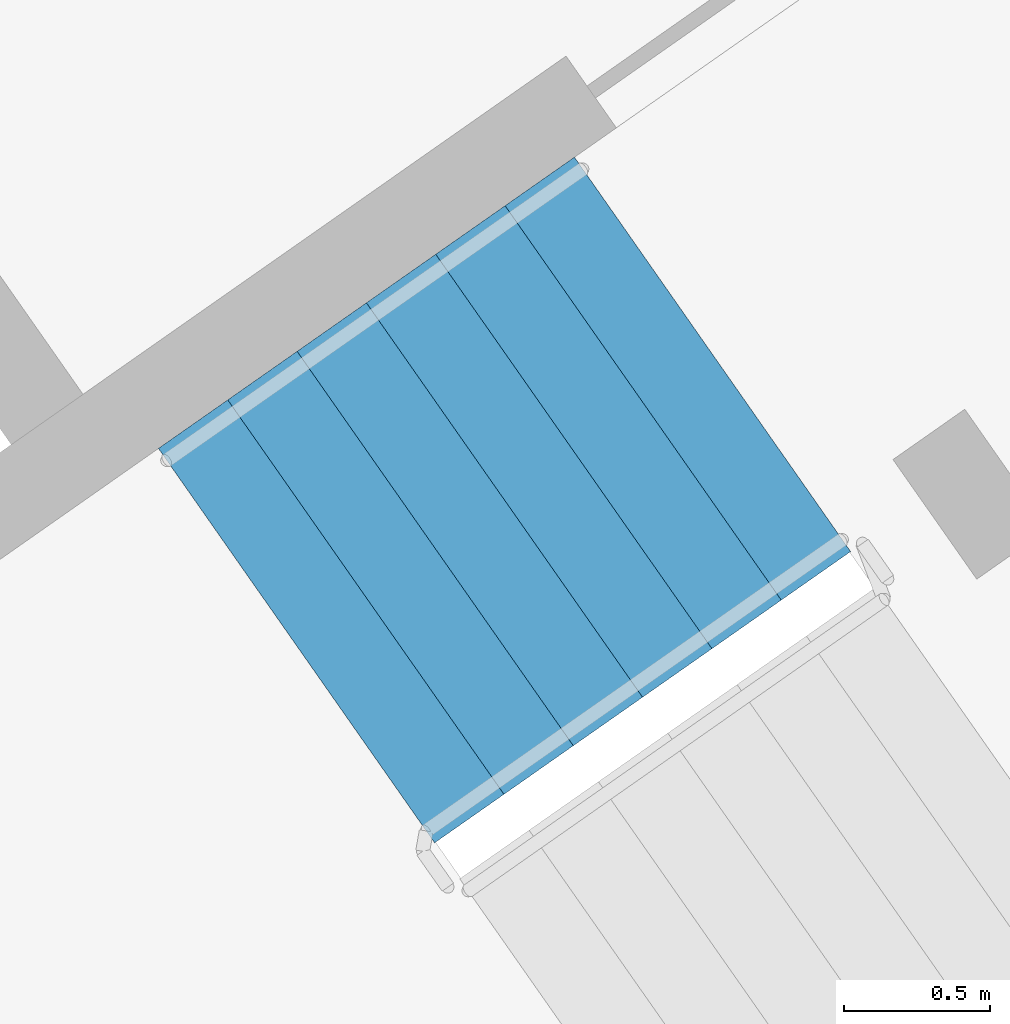
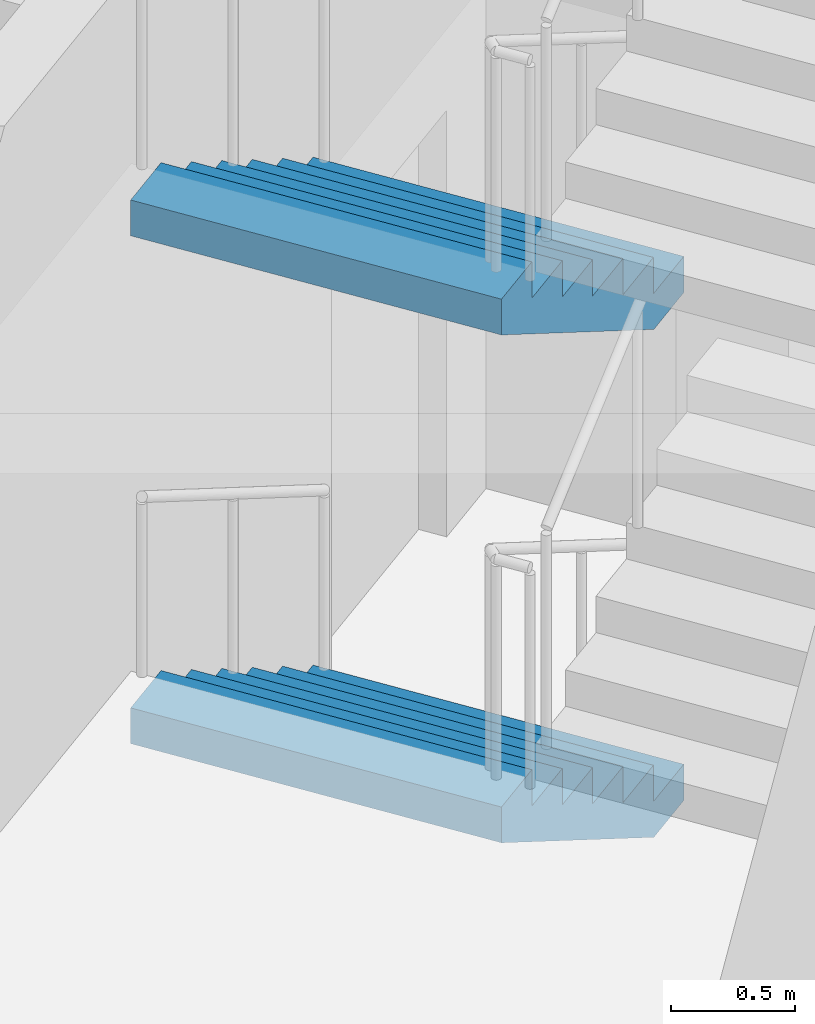
# One storey, part 19 of 25: 2 stair flights, 1 element without a shape of its own.
"""IFC4 building model written with IfcOpenShell, lengths in metres."""

from ifc_helpers import new_model, si_unit, direction, frame, origin, place, context, subcontext, project, spatial, faceted_brep, material, type_object, element, aggregate, save


model = new_model("IFC4")

# Units and contexts
model_context = context("Model", 3, precision=1e-05, world=origin(), true_north=direction((0.0, 1.0)))
body_context = subcontext(model_context, "Body", "Model", "MODEL_VIEW")
ifc_project = project(units=[si_unit("LENGTHUNIT", "METRE"), si_unit("AREAUNIT", "SQUARE_METRE"), si_unit("VOLUMEUNIT", "CUBIC_METRE"), si_unit("PLANEANGLEUNIT", "RADIAN"), si_unit("MASSUNIT", "GRAM", prefix="KILO")], contexts=[model_context])

# Site, building, storey
site_placement = place(None, origin())
site = spatial("IfcSite", under=ifc_project, at=site_placement, CompositionType="ELEMENT")
building_placement = place(site_placement, origin())
building = spatial("IfcBuilding", under=site, at=building_placement, Name="Qamariyya Broadcast Tower", CompositionType="ELEMENT")
storey_placement = place(building_placement, frame((0.0, 0.0, 89.89990234375)))
storey = spatial("IfcBuildingStorey", under=building, at=storey_placement, Name="L19", CompositionType="ELEMENT", Elevation=89.89990234375)

# Stair, stair flights
ifc_material = material(Name="Concrete C50/60", Category="concrete")
stair_type = type_object("IfcStairType", Name="Exit stair 28 risers of 179 mm", PredefinedType="HALF_TURN_STAIR", material=ifc_material)
stair_placement = place(storey_placement, origin())
stair = element("IfcStair", 1, at=stair_placement, inside=storey, type_object=stair_type, Name="L19 Stair E1", PredefinedType="HALF_TURN_STAIR")
stair_flight_type = type_object("IfcStairFlightType", Name="Exit stair flight 7 risers of 179 mm", PredefinedType="STRAIGHT", material=ifc_material)
stair_flight_1_placement = place(storey_placement, frame((46.036376953125, -55.508056640625, 0.0), z_axis=(0.0, 0.0, 1.0), x_axis=(-0.819152044289, -0.573576436351, 0.0)))
stair_flight_1 = element("IfcStairFlight", 2, at=stair_flight_1_placement, type_object=stair_flight_type, Name="ST-E1 flight 1", NumberOfRisers=7, NumberOfTreads=6, PredefinedType="STRAIGHT", RiserHeight=0.178571429, TreadLength=0.29, context=body_context, shape_type="Brep", body=[
    faceted_brep([(0.0, 0.824951171875, 0.0), (0.0, 0.824951171875, 0.178466796875), (0.2900390625, 0.824951171875, 0.178466796875), (0.2900390625, 0.824951171875, 0.357177734375), (0.580078125, 0.824951171875, 0.357177734375), (0.580078125, 0.824951171875, 0.53564453125), (0.8701171875, 0.824951171875, 0.53564453125), (0.8701171875, 0.824951171875, 0.71435546875), (1.159912109375, 0.824951171875, 0.71435546875), (1.159912109375, 0.824951171875, 0.892822265625), (1.449951171875, 0.824951171875, 0.892822265625), (1.449951171875, 0.824951171875, 1.071533203125), (1.739990234375, 0.824951171875, 1.071533203125), (1.739990234375, 0.824951171875, 0.8955078125), (0.285888671875, 0.824951171875, 0.0), (0.285888671875, -0.824951171875, 0.0), (1.739990234375, -0.824951171875, 0.8955078125), (1.739990234375, -0.824951171875, 1.071533203125), (1.449951171875, -0.824951171875, 1.071533203125), (1.449951171875, -0.824951171875, 0.892822265625), (1.159912109375, -0.824951171875, 0.892822265625), (1.159912109375, -0.824951171875, 0.71435546875), (0.8701171875, -0.824951171875, 0.71435546875), (0.8701171875, -0.824951171875, 0.53564453125), (0.580078125, -0.824951171875, 0.53564453125), (0.580078125, -0.824951171875, 0.357177734375), (0.2900390625, -0.824951171875, 0.357177734375), (0.2900390625, -0.824951171875, 0.178466796875), (0.0, -0.824951171875, 0.178466796875), (0.0, -0.824951171875, 0.0), (0.0, 0.10009765625, 0.0), (0.0, 0.086669921875, 0.0), (0.0, 0.0732421875, 0.0), (0.0, 0.06005859375, 0.0), (0.0, 0.046630859375, 0.0), (0.0, 0.033447265625, 0.0), (0.0, 0.02001953125, 0.0), (0.0, 0.006591796875, 0.0), (0.0, -0.006591796875, 0.0), (0.0, -0.02001953125, 0.0), (0.0, -0.033447265625, 0.0), (0.0, -0.046630859375, 0.0), (0.0, -0.06005859375, 0.0), (0.0, -0.0732421875, 0.0), (0.0, -0.086669921875, 0.0), (0.0, -0.10009765625, 0.0), (0.0, -0.10009765625, 0.178466796875), (0.0, -0.086669921875, 0.178466796875), (0.0, -0.0732421875, 0.178466796875), (0.0, -0.06005859375, 0.178466796875), (0.0, -0.046630859375, 0.178466796875), (0.0, -0.033447265625, 0.178466796875), (0.0, -0.02001953125, 0.178466796875), (0.0, -0.006591796875, 0.178466796875), (0.0, 0.006591796875, 0.178466796875), (0.0, 0.02001953125, 0.178466796875), (0.0, 0.033447265625, 0.178466796875), (0.0, 0.046630859375, 0.178466796875), (0.0, 0.06005859375, 0.178466796875), (0.0, 0.0732421875, 0.178466796875), (0.0, 0.086669921875, 0.178466796875), (0.0, 0.10009765625, 0.178466796875), (0.2900390625, -0.10009765625, 0.178466796875), (0.2900390625, -0.086669921875, 0.178466796875), (0.2900390625, -0.0732421875, 0.178466796875), (0.2900390625, -0.06005859375, 0.178466796875), (0.2900390625, -0.046630859375, 0.178466796875), (0.2900390625, -0.033447265625, 0.178466796875), (0.2900390625, -0.02001953125, 0.178466796875), (0.2900390625, -0.006591796875, 0.178466796875), (0.2900390625, 0.006591796875, 0.178466796875), (0.2900390625, 0.02001953125, 0.178466796875), (0.2900390625, 0.033447265625, 0.178466796875), (0.2900390625, 0.046630859375, 0.178466796875), (0.2900390625, 0.06005859375, 0.178466796875), (0.2900390625, 0.0732421875, 0.178466796875), (0.2900390625, 0.086669921875, 0.178466796875), (0.2900390625, 0.10009765625, 0.178466796875), (0.2900390625, -0.10009765625, 0.357177734375), (0.2900390625, -0.086669921875, 0.357177734375), (0.2900390625, -0.0732421875, 0.357177734375), (0.2900390625, -0.06005859375, 0.357177734375), (0.2900390625, -0.046630859375, 0.357177734375), (0.2900390625, -0.033447265625, 0.357177734375), (0.2900390625, -0.02001953125, 0.357177734375), (0.2900390625, -0.006591796875, 0.357177734375), (0.2900390625, 0.006591796875, 0.357177734375), (0.2900390625, 0.02001953125, 0.357177734375), (0.2900390625, 0.033447265625, 0.357177734375), (0.2900390625, 0.046630859375, 0.357177734375), (0.2900390625, 0.06005859375, 0.357177734375), (0.2900390625, 0.0732421875, 0.357177734375), (0.2900390625, 0.086669921875, 0.357177734375), (0.2900390625, 0.10009765625, 0.357177734375), (0.580078125, -0.10009765625, 0.357177734375), (0.580078125, -0.086669921875, 0.357177734375), (0.580078125, -0.0732421875, 0.357177734375), (0.580078125, -0.06005859375, 0.357177734375), (0.580078125, -0.046630859375, 0.357177734375), (0.580078125, -0.033447265625, 0.357177734375), (0.580078125, -0.02001953125, 0.357177734375), (0.580078125, -0.006591796875, 0.357177734375), (0.580078125, 0.006591796875, 0.357177734375), (0.580078125, 0.02001953125, 0.357177734375), (0.580078125, 0.033447265625, 0.357177734375), (0.580078125, 0.046630859375, 0.357177734375), (0.580078125, 0.06005859375, 0.357177734375), (0.580078125, 0.0732421875, 0.357177734375), (0.580078125, 0.086669921875, 0.357177734375), (0.580078125, 0.10009765625, 0.357177734375), (0.580078125, -0.10009765625, 0.53564453125), (0.580078125, -0.086669921875, 0.53564453125), (0.580078125, -0.0732421875, 0.53564453125), (0.580078125, -0.06005859375, 0.53564453125), (0.580078125, -0.046630859375, 0.53564453125), (0.580078125, -0.033447265625, 0.53564453125), (0.580078125, -0.02001953125, 0.53564453125), (0.580078125, -0.006591796875, 0.53564453125), (0.580078125, 0.006591796875, 0.53564453125), (0.580078125, 0.02001953125, 0.53564453125), (0.580078125, 0.033447265625, 0.53564453125), (0.580078125, 0.046630859375, 0.53564453125), (0.580078125, 0.06005859375, 0.53564453125), (0.580078125, 0.0732421875, 0.53564453125), (0.580078125, 0.086669921875, 0.53564453125), (0.580078125, 0.10009765625, 0.53564453125), (0.8701171875, -0.10009765625, 0.53564453125), (0.8701171875, -0.086669921875, 0.53564453125), (0.8701171875, -0.0732421875, 0.53564453125), (0.8701171875, -0.06005859375, 0.53564453125), (0.8701171875, -0.046630859375, 0.53564453125), (0.8701171875, -0.033447265625, 0.53564453125), (0.8701171875, -0.02001953125, 0.53564453125), (0.8701171875, -0.006591796875, 0.53564453125), (0.8701171875, 0.006591796875, 0.53564453125), (0.8701171875, 0.02001953125, 0.53564453125), (0.8701171875, 0.033447265625, 0.53564453125), (0.8701171875, 0.046630859375, 0.53564453125), (0.8701171875, 0.06005859375, 0.53564453125), (0.8701171875, 0.0732421875, 0.53564453125), (0.8701171875, 0.086669921875, 0.53564453125), (0.8701171875, 0.10009765625, 0.53564453125), (0.8701171875, -0.10009765625, 0.71435546875), (0.8701171875, -0.086669921875, 0.71435546875), (0.8701171875, -0.0732421875, 0.71435546875), (0.8701171875, -0.06005859375, 0.71435546875), (0.8701171875, -0.046630859375, 0.71435546875), (0.8701171875, -0.033447265625, 0.71435546875), (0.8701171875, -0.02001953125, 0.71435546875), (0.8701171875, -0.006591796875, 0.71435546875), (0.8701171875, 0.006591796875, 0.71435546875), (0.8701171875, 0.02001953125, 0.71435546875), (0.8701171875, 0.033447265625, 0.71435546875), (0.8701171875, 0.046630859375, 0.71435546875), (0.8701171875, 0.06005859375, 0.71435546875), (0.8701171875, 0.0732421875, 0.71435546875), (0.8701171875, 0.086669921875, 0.71435546875), (0.8701171875, 0.10009765625, 0.71435546875), (1.159912109375, -0.10009765625, 0.71435546875), (1.159912109375, -0.086669921875, 0.71435546875), (1.159912109375, -0.0732421875, 0.71435546875), (1.159912109375, -0.06005859375, 0.71435546875), (1.159912109375, -0.046630859375, 0.71435546875), (1.159912109375, -0.033447265625, 0.71435546875), (1.159912109375, -0.02001953125, 0.71435546875), (1.159912109375, -0.006591796875, 0.71435546875), (1.159912109375, 0.006591796875, 0.71435546875), (1.159912109375, 0.02001953125, 0.71435546875), (1.159912109375, 0.033447265625, 0.71435546875), (1.159912109375, 0.046630859375, 0.71435546875), (1.159912109375, 0.06005859375, 0.71435546875), (1.159912109375, 0.0732421875, 0.71435546875), (1.159912109375, 0.086669921875, 0.71435546875), (1.159912109375, 0.10009765625, 0.71435546875), (1.159912109375, -0.10009765625, 0.892822265625), (1.159912109375, -0.086669921875, 0.892822265625), (1.159912109375, -0.0732421875, 0.892822265625), (1.159912109375, -0.06005859375, 0.892822265625), (1.159912109375, -0.046630859375, 0.892822265625), (1.159912109375, -0.033447265625, 0.892822265625), (1.159912109375, -0.02001953125, 0.892822265625), (1.159912109375, -0.006591796875, 0.892822265625), (1.159912109375, 0.006591796875, 0.892822265625), (1.159912109375, 0.02001953125, 0.892822265625), (1.159912109375, 0.033447265625, 0.892822265625), (1.159912109375, 0.046630859375, 0.892822265625), (1.159912109375, 0.06005859375, 0.892822265625), (1.159912109375, 0.0732421875, 0.892822265625), (1.159912109375, 0.086669921875, 0.892822265625), (1.159912109375, 0.10009765625, 0.892822265625), (1.449951171875, -0.10009765625, 0.892822265625), (1.449951171875, -0.086669921875, 0.892822265625), (1.449951171875, -0.0732421875, 0.892822265625), (1.449951171875, -0.06005859375, 0.892822265625), (1.449951171875, -0.046630859375, 0.892822265625), (1.449951171875, -0.033447265625, 0.892822265625), (1.449951171875, -0.02001953125, 0.892822265625), (1.449951171875, -0.006591796875, 0.892822265625), (1.449951171875, 0.006591796875, 0.892822265625), (1.449951171875, 0.02001953125, 0.892822265625), (1.449951171875, 0.033447265625, 0.892822265625), (1.449951171875, 0.046630859375, 0.892822265625), (1.449951171875, 0.06005859375, 0.892822265625), (1.449951171875, 0.0732421875, 0.892822265625), (1.449951171875, 0.086669921875, 0.892822265625), (1.449951171875, 0.10009765625, 0.892822265625), (1.449951171875, -0.10009765625, 1.071533203125), (1.449951171875, -0.086669921875, 1.071533203125), (1.449951171875, -0.0732421875, 1.071533203125), (1.449951171875, -0.06005859375, 1.071533203125), (1.449951171875, -0.046630859375, 1.071533203125), (1.449951171875, -0.033447265625, 1.071533203125), (1.449951171875, -0.02001953125, 1.071533203125), (1.449951171875, -0.006591796875, 1.071533203125), (1.449951171875, 0.006591796875, 1.071533203125), (1.449951171875, 0.02001953125, 1.071533203125), (1.449951171875, 0.033447265625, 1.071533203125), (1.449951171875, 0.046630859375, 1.071533203125), (1.449951171875, 0.06005859375, 1.071533203125), (1.449951171875, 0.0732421875, 1.071533203125), (1.449951171875, 0.086669921875, 1.071533203125), (1.449951171875, 0.10009765625, 1.071533203125), (1.739990234375, -0.10009765625, 1.071533203125), (1.739990234375, -0.086669921875, 1.071533203125), (1.739990234375, -0.0732421875, 1.071533203125), (1.739990234375, -0.06005859375, 1.071533203125), (1.739990234375, -0.046630859375, 1.071533203125), (1.739990234375, -0.033447265625, 1.071533203125), (1.739990234375, -0.02001953125, 1.071533203125), (1.739990234375, -0.006591796875, 1.071533203125), (1.739990234375, 0.006591796875, 1.071533203125), (1.739990234375, 0.02001953125, 1.071533203125), (1.739990234375, 0.033447265625, 1.071533203125), (1.739990234375, 0.046630859375, 1.071533203125), (1.739990234375, 0.06005859375, 1.071533203125), (1.739990234375, 0.0732421875, 1.071533203125), (1.739990234375, 0.086669921875, 1.071533203125), (1.739990234375, 0.10009765625, 1.071533203125), (1.739990234375, -0.10009765625, 0.8955078125), (1.739990234375, -0.086669921875, 0.8955078125), (1.739990234375, -0.0732421875, 0.8955078125), (1.739990234375, -0.06005859375, 0.8955078125), (1.739990234375, -0.046630859375, 0.8955078125), (1.739990234375, -0.033447265625, 0.8955078125), (1.739990234375, -0.02001953125, 0.8955078125), (1.739990234375, -0.006591796875, 0.8955078125), (1.739990234375, 0.006591796875, 0.8955078125), (1.739990234375, 0.02001953125, 0.8955078125), (1.739990234375, 0.033447265625, 0.8955078125), (1.739990234375, 0.046630859375, 0.8955078125), (1.739990234375, 0.06005859375, 0.8955078125), (1.739990234375, 0.0732421875, 0.8955078125), (1.739990234375, 0.086669921875, 0.8955078125), (1.739990234375, 0.10009765625, 0.8955078125), (0.285888671875, -0.10009765625, 0.0), (0.285888671875, -0.086669921875, 0.0), (0.285888671875, -0.0732421875, 0.0), (0.285888671875, -0.06005859375, 0.0), (0.285888671875, -0.046630859375, 0.0), (0.285888671875, -0.033447265625, 0.0), (0.285888671875, -0.02001953125, 0.0), (0.285888671875, -0.006591796875, 0.0), (0.285888671875, 0.006591796875, 0.0), (0.285888671875, 0.02001953125, 0.0), (0.285888671875, 0.033447265625, 0.0), (0.285888671875, 0.046630859375, 0.0), (0.285888671875, 0.06005859375, 0.0), (0.285888671875, 0.0732421875, 0.0), (0.285888671875, 0.086669921875, 0.0), (0.285888671875, 0.10009765625, 0.0)], [[[0, 1, 2, 3, 4, 5, 6, 7, 8, 9, 10, 11, 12, 13, 14]], [[15, 16, 17, 18, 19, 20, 21, 22, 23, 24, 25, 26, 27, 28, 29]], [[0, 30, 31, 32, 33, 34, 35, 36, 37, 38, 39, 40, 41, 42, 43, 44, 45, 29, 28, 46, 47, 48, 49, 50, 51, 52, 53, 54, 55, 56, 57, 58, 59, 60, 61, 1]], [[1, 61, 60, 59, 58, 57, 56, 55, 54, 53, 52, 51, 50, 49, 48, 47, 46, 28, 27, 62, 63, 64, 65, 66, 67, 68, 69, 70, 71, 72, 73, 74, 75, 76, 77, 2]], [[2, 77, 76, 75, 74, 73, 72, 71, 70, 69, 68, 67, 66, 65, 64, 63, 62, 27, 26, 78, 79, 80, 81, 82, 83, 84, 85, 86, 87, 88, 89, 90, 91, 92, 93, 3]], [[3, 93, 92, 91, 90, 89, 88, 87, 86, 85, 84, 83, 82, 81, 80, 79, 78, 26, 25, 94, 95, 96, 97, 98, 99, 100, 101, 102, 103, 104, 105, 106, 107, 108, 109, 4]], [[4, 109, 108, 107, 106, 105, 104, 103, 102, 101, 100, 99, 98, 97, 96, 95, 94, 25, 24, 110, 111, 112, 113, 114, 115, 116, 117, 118, 119, 120, 121, 122, 123, 124, 125, 5]], [[5, 125, 124, 123, 122, 121, 120, 119, 118, 117, 116, 115, 114, 113, 112, 111, 110, 24, 23, 126, 127, 128, 129, 130, 131, 132, 133, 134, 135, 136, 137, 138, 139, 140, 141, 6]], [[6, 141, 140, 139, 138, 137, 136, 135, 134, 133, 132, 131, 130, 129, 128, 127, 126, 23, 22, 142, 143, 144, 145, 146, 147, 148, 149, 150, 151, 152, 153, 154, 155, 156, 157, 7]], [[7, 157, 156, 155, 154, 153, 152, 151, 150, 149, 148, 147, 146, 145, 144, 143, 142, 22, 21, 158, 159, 160, 161, 162, 163, 164, 165, 166, 167, 168, 169, 170, 171, 172, 173, 8]], [[8, 173, 172, 171, 170, 169, 168, 167, 166, 165, 164, 163, 162, 161, 160, 159, 158, 21, 20, 174, 175, 176, 177, 178, 179, 180, 181, 182, 183, 184, 185, 186, 187, 188, 189, 9]], [[9, 189, 188, 187, 186, 185, 184, 183, 182, 181, 180, 179, 178, 177, 176, 175, 174, 20, 19, 190, 191, 192, 193, 194, 195, 196, 197, 198, 199, 200, 201, 202, 203, 204, 205, 10]], [[10, 205, 204, 203, 202, 201, 200, 199, 198, 197, 196, 195, 194, 193, 192, 191, 190, 19, 18, 206, 207, 208, 209, 210, 211, 212, 213, 214, 215, 216, 217, 218, 219, 220, 221, 11]], [[11, 221, 220, 219, 218, 217, 216, 215, 214, 213, 212, 211, 210, 209, 208, 207, 206, 18, 17, 222, 223, 224, 225, 226, 227, 228, 229, 230, 231, 232, 233, 234, 235, 236, 237, 12]], [[12, 237, 236, 235, 234, 233, 232, 231, 230, 229, 228, 227, 226, 225, 224, 223, 222, 17, 16, 238, 239, 240, 241, 242, 243, 244, 245, 246, 247, 248, 249, 250, 251, 252, 253, 13]], [[13, 253, 252, 251, 250, 249, 248, 247, 246, 245, 244, 243, 242, 241, 240, 239, 238, 16, 15, 254, 255, 256, 257, 258, 259, 260, 261, 262, 263, 264, 265, 266, 267, 268, 269, 14]], [[14, 269, 268, 267, 266, 265, 264, 263, 262, 261, 260, 259, 258, 257, 256, 255, 254, 15, 29, 45, 44, 43, 42, 41, 40, 39, 38, 37, 36, 35, 34, 33, 32, 31, 30, 0]]]),
])
stair_flight_2_placement = place(storey_placement, frame((46.036376953125, -55.508056640625, 2.5), z_axis=(0.0, 0.0, 1.0), x_axis=(-0.819152044289, -0.573576436351, 0.0)))
stair_flight_2 = element("IfcStairFlight", 3, at=stair_flight_2_placement, type_object=stair_flight_type, Name="ST-E1 flight 3", NumberOfRisers=7, NumberOfTreads=6, PredefinedType="STRAIGHT", RiserHeight=0.178571429, TreadLength=0.29, context=body_context, shape_type="Brep", body=[
    faceted_brep([(0.0, 0.824951171875, 0.0), (0.0, 0.824951171875, 0.178466796875), (0.2900390625, 0.824951171875, 0.178466796875), (0.2900390625, 0.824951171875, 0.357177734375), (0.580078125, 0.824951171875, 0.357177734375), (0.580078125, 0.824951171875, 0.53564453125), (0.8701171875, 0.824951171875, 0.53564453125), (0.8701171875, 0.824951171875, 0.71435546875), (1.159912109375, 0.824951171875, 0.71435546875), (1.159912109375, 0.824951171875, 0.892822265625), (1.449951171875, 0.824951171875, 0.892822265625), (1.449951171875, 0.824951171875, 1.071533203125), (1.739990234375, 0.824951171875, 1.071533203125), (1.739990234375, 0.824951171875, 0.8955078125), (0.285888671875, 0.824951171875, 0.0), (0.285888671875, -0.824951171875, 0.0), (1.739990234375, -0.824951171875, 0.8955078125), (1.739990234375, -0.824951171875, 1.071533203125), (1.449951171875, -0.824951171875, 1.071533203125), (1.449951171875, -0.824951171875, 0.892822265625), (1.159912109375, -0.824951171875, 0.892822265625), (1.159912109375, -0.824951171875, 0.71435546875), (0.8701171875, -0.824951171875, 0.71435546875), (0.8701171875, -0.824951171875, 0.53564453125), (0.580078125, -0.824951171875, 0.53564453125), (0.580078125, -0.824951171875, 0.357177734375), (0.2900390625, -0.824951171875, 0.357177734375), (0.2900390625, -0.824951171875, 0.178466796875), (0.0, -0.824951171875, 0.178466796875), (0.0, -0.824951171875, 0.0), (0.0, 0.10009765625, 0.0), (0.0, 0.086669921875, 0.0), (0.0, 0.0732421875, 0.0), (0.0, 0.06005859375, 0.0), (0.0, 0.046630859375, 0.0), (0.0, 0.033447265625, 0.0), (0.0, 0.02001953125, 0.0), (0.0, 0.006591796875, 0.0), (0.0, -0.006591796875, 0.0), (0.0, -0.02001953125, 0.0), (0.0, -0.033447265625, 0.0), (0.0, -0.046630859375, 0.0), (0.0, -0.06005859375, 0.0), (0.0, -0.0732421875, 0.0), (0.0, -0.086669921875, 0.0), (0.0, -0.10009765625, 0.0), (0.0, -0.10009765625, 0.178466796875), (0.0, -0.086669921875, 0.178466796875), (0.0, -0.0732421875, 0.178466796875), (0.0, -0.06005859375, 0.178466796875), (0.0, -0.046630859375, 0.178466796875), (0.0, -0.033447265625, 0.178466796875), (0.0, -0.02001953125, 0.178466796875), (0.0, -0.006591796875, 0.178466796875), (0.0, 0.006591796875, 0.178466796875), (0.0, 0.02001953125, 0.178466796875), (0.0, 0.033447265625, 0.178466796875), (0.0, 0.046630859375, 0.178466796875), (0.0, 0.06005859375, 0.178466796875), (0.0, 0.0732421875, 0.178466796875), (0.0, 0.086669921875, 0.178466796875), (0.0, 0.10009765625, 0.178466796875), (0.2900390625, -0.10009765625, 0.178466796875), (0.2900390625, -0.086669921875, 0.178466796875), (0.2900390625, -0.0732421875, 0.178466796875), (0.2900390625, -0.06005859375, 0.178466796875), (0.2900390625, -0.046630859375, 0.178466796875), (0.2900390625, -0.033447265625, 0.178466796875), (0.2900390625, -0.02001953125, 0.178466796875), (0.2900390625, -0.006591796875, 0.178466796875), (0.2900390625, 0.006591796875, 0.178466796875), (0.2900390625, 0.02001953125, 0.178466796875), (0.2900390625, 0.033447265625, 0.178466796875), (0.2900390625, 0.046630859375, 0.178466796875), (0.2900390625, 0.06005859375, 0.178466796875), (0.2900390625, 0.0732421875, 0.178466796875), (0.2900390625, 0.086669921875, 0.178466796875), (0.2900390625, 0.10009765625, 0.178466796875), (0.2900390625, -0.10009765625, 0.357177734375), (0.2900390625, -0.086669921875, 0.357177734375), (0.2900390625, -0.0732421875, 0.357177734375), (0.2900390625, -0.06005859375, 0.357177734375), (0.2900390625, -0.046630859375, 0.357177734375), (0.2900390625, -0.033447265625, 0.357177734375), (0.2900390625, -0.02001953125, 0.357177734375), (0.2900390625, -0.006591796875, 0.357177734375), (0.2900390625, 0.006591796875, 0.357177734375), (0.2900390625, 0.02001953125, 0.357177734375), (0.2900390625, 0.033447265625, 0.357177734375), (0.2900390625, 0.046630859375, 0.357177734375), (0.2900390625, 0.06005859375, 0.357177734375), (0.2900390625, 0.0732421875, 0.357177734375), (0.2900390625, 0.086669921875, 0.357177734375), (0.2900390625, 0.10009765625, 0.357177734375), (0.580078125, -0.10009765625, 0.357177734375), (0.580078125, -0.086669921875, 0.357177734375), (0.580078125, -0.0732421875, 0.357177734375), (0.580078125, -0.06005859375, 0.357177734375), (0.580078125, -0.046630859375, 0.357177734375), (0.580078125, -0.033447265625, 0.357177734375), (0.580078125, -0.02001953125, 0.357177734375), (0.580078125, -0.006591796875, 0.357177734375), (0.580078125, 0.006591796875, 0.357177734375), (0.580078125, 0.02001953125, 0.357177734375), (0.580078125, 0.033447265625, 0.357177734375), (0.580078125, 0.046630859375, 0.357177734375), (0.580078125, 0.06005859375, 0.357177734375), (0.580078125, 0.0732421875, 0.357177734375), (0.580078125, 0.086669921875, 0.357177734375), (0.580078125, 0.10009765625, 0.357177734375), (0.580078125, -0.10009765625, 0.53564453125), (0.580078125, -0.086669921875, 0.53564453125), (0.580078125, -0.0732421875, 0.53564453125), (0.580078125, -0.06005859375, 0.53564453125), (0.580078125, -0.046630859375, 0.53564453125), (0.580078125, -0.033447265625, 0.53564453125), (0.580078125, -0.02001953125, 0.53564453125), (0.580078125, -0.006591796875, 0.53564453125), (0.580078125, 0.006591796875, 0.53564453125), (0.580078125, 0.02001953125, 0.53564453125), (0.580078125, 0.033447265625, 0.53564453125), (0.580078125, 0.046630859375, 0.53564453125), (0.580078125, 0.06005859375, 0.53564453125), (0.580078125, 0.0732421875, 0.53564453125), (0.580078125, 0.086669921875, 0.53564453125), (0.580078125, 0.10009765625, 0.53564453125), (0.8701171875, -0.10009765625, 0.53564453125), (0.8701171875, -0.086669921875, 0.53564453125), (0.8701171875, -0.0732421875, 0.53564453125), (0.8701171875, -0.06005859375, 0.53564453125), (0.8701171875, -0.046630859375, 0.53564453125), (0.8701171875, -0.033447265625, 0.53564453125), (0.8701171875, -0.02001953125, 0.53564453125), (0.8701171875, -0.006591796875, 0.53564453125), (0.8701171875, 0.006591796875, 0.53564453125), (0.8701171875, 0.02001953125, 0.53564453125), (0.8701171875, 0.033447265625, 0.53564453125), (0.8701171875, 0.046630859375, 0.53564453125), (0.8701171875, 0.06005859375, 0.53564453125), (0.8701171875, 0.0732421875, 0.53564453125), (0.8701171875, 0.086669921875, 0.53564453125), (0.8701171875, 0.10009765625, 0.53564453125), (0.8701171875, -0.10009765625, 0.71435546875), (0.8701171875, -0.086669921875, 0.71435546875), (0.8701171875, -0.0732421875, 0.71435546875), (0.8701171875, -0.06005859375, 0.71435546875), (0.8701171875, -0.046630859375, 0.71435546875), (0.8701171875, -0.033447265625, 0.71435546875), (0.8701171875, -0.02001953125, 0.71435546875), (0.8701171875, -0.006591796875, 0.71435546875), (0.8701171875, 0.006591796875, 0.71435546875), (0.8701171875, 0.02001953125, 0.71435546875), (0.8701171875, 0.033447265625, 0.71435546875), (0.8701171875, 0.046630859375, 0.71435546875), (0.8701171875, 0.06005859375, 0.71435546875), (0.8701171875, 0.0732421875, 0.71435546875), (0.8701171875, 0.086669921875, 0.71435546875), (0.8701171875, 0.10009765625, 0.71435546875), (1.159912109375, -0.10009765625, 0.71435546875), (1.159912109375, -0.086669921875, 0.71435546875), (1.159912109375, -0.0732421875, 0.71435546875), (1.159912109375, -0.06005859375, 0.71435546875), (1.159912109375, -0.046630859375, 0.71435546875), (1.159912109375, -0.033447265625, 0.71435546875), (1.159912109375, -0.02001953125, 0.71435546875), (1.159912109375, -0.006591796875, 0.71435546875), (1.159912109375, 0.006591796875, 0.71435546875), (1.159912109375, 0.02001953125, 0.71435546875), (1.159912109375, 0.033447265625, 0.71435546875), (1.159912109375, 0.046630859375, 0.71435546875), (1.159912109375, 0.06005859375, 0.71435546875), (1.159912109375, 0.0732421875, 0.71435546875), (1.159912109375, 0.086669921875, 0.71435546875), (1.159912109375, 0.10009765625, 0.71435546875), (1.159912109375, -0.10009765625, 0.892822265625), (1.159912109375, -0.086669921875, 0.892822265625), (1.159912109375, -0.0732421875, 0.892822265625), (1.159912109375, -0.06005859375, 0.892822265625), (1.159912109375, -0.046630859375, 0.892822265625), (1.159912109375, -0.033447265625, 0.892822265625), (1.159912109375, -0.02001953125, 0.892822265625), (1.159912109375, -0.006591796875, 0.892822265625), (1.159912109375, 0.006591796875, 0.892822265625), (1.159912109375, 0.02001953125, 0.892822265625), (1.159912109375, 0.033447265625, 0.892822265625), (1.159912109375, 0.046630859375, 0.892822265625), (1.159912109375, 0.06005859375, 0.892822265625), (1.159912109375, 0.0732421875, 0.892822265625), (1.159912109375, 0.086669921875, 0.892822265625), (1.159912109375, 0.10009765625, 0.892822265625), (1.449951171875, -0.10009765625, 0.892822265625), (1.449951171875, -0.086669921875, 0.892822265625), (1.449951171875, -0.0732421875, 0.892822265625), (1.449951171875, -0.06005859375, 0.892822265625), (1.449951171875, -0.046630859375, 0.892822265625), (1.449951171875, -0.033447265625, 0.892822265625), (1.449951171875, -0.02001953125, 0.892822265625), (1.449951171875, -0.006591796875, 0.892822265625), (1.449951171875, 0.006591796875, 0.892822265625), (1.449951171875, 0.02001953125, 0.892822265625), (1.449951171875, 0.033447265625, 0.892822265625), (1.449951171875, 0.046630859375, 0.892822265625), (1.449951171875, 0.06005859375, 0.892822265625), (1.449951171875, 0.0732421875, 0.892822265625), (1.449951171875, 0.086669921875, 0.892822265625), (1.449951171875, 0.10009765625, 0.892822265625), (1.449951171875, -0.10009765625, 1.071533203125), (1.449951171875, -0.086669921875, 1.071533203125), (1.449951171875, -0.0732421875, 1.071533203125), (1.449951171875, -0.06005859375, 1.071533203125), (1.449951171875, -0.046630859375, 1.071533203125), (1.449951171875, -0.033447265625, 1.071533203125), (1.449951171875, -0.02001953125, 1.071533203125), (1.449951171875, -0.006591796875, 1.071533203125), (1.449951171875, 0.006591796875, 1.071533203125), (1.449951171875, 0.02001953125, 1.071533203125), (1.449951171875, 0.033447265625, 1.071533203125), (1.449951171875, 0.046630859375, 1.071533203125), (1.449951171875, 0.06005859375, 1.071533203125), (1.449951171875, 0.0732421875, 1.071533203125), (1.449951171875, 0.086669921875, 1.071533203125), (1.449951171875, 0.10009765625, 1.071533203125), (1.739990234375, -0.10009765625, 1.071533203125), (1.739990234375, -0.086669921875, 1.071533203125), (1.739990234375, -0.0732421875, 1.071533203125), (1.739990234375, -0.06005859375, 1.071533203125), (1.739990234375, -0.046630859375, 1.071533203125), (1.739990234375, -0.033447265625, 1.071533203125), (1.739990234375, -0.02001953125, 1.071533203125), (1.739990234375, -0.006591796875, 1.071533203125), (1.739990234375, 0.006591796875, 1.071533203125), (1.739990234375, 0.02001953125, 1.071533203125), (1.739990234375, 0.033447265625, 1.071533203125), (1.739990234375, 0.046630859375, 1.071533203125), (1.739990234375, 0.06005859375, 1.071533203125), (1.739990234375, 0.0732421875, 1.071533203125), (1.739990234375, 0.086669921875, 1.071533203125), (1.739990234375, 0.10009765625, 1.071533203125), (1.739990234375, -0.10009765625, 0.8955078125), (1.739990234375, -0.086669921875, 0.8955078125), (1.739990234375, -0.0732421875, 0.8955078125), (1.739990234375, -0.06005859375, 0.8955078125), (1.739990234375, -0.046630859375, 0.8955078125), (1.739990234375, -0.033447265625, 0.8955078125), (1.739990234375, -0.02001953125, 0.8955078125), (1.739990234375, -0.006591796875, 0.8955078125), (1.739990234375, 0.006591796875, 0.8955078125), (1.739990234375, 0.02001953125, 0.8955078125), (1.739990234375, 0.033447265625, 0.8955078125), (1.739990234375, 0.046630859375, 0.8955078125), (1.739990234375, 0.06005859375, 0.8955078125), (1.739990234375, 0.0732421875, 0.8955078125), (1.739990234375, 0.086669921875, 0.8955078125), (1.739990234375, 0.10009765625, 0.8955078125), (0.285888671875, -0.10009765625, 0.0), (0.285888671875, -0.086669921875, 0.0), (0.285888671875, -0.0732421875, 0.0), (0.285888671875, -0.06005859375, 0.0), (0.285888671875, -0.046630859375, 0.0), (0.285888671875, -0.033447265625, 0.0), (0.285888671875, -0.02001953125, 0.0), (0.285888671875, -0.006591796875, 0.0), (0.285888671875, 0.006591796875, 0.0), (0.285888671875, 0.02001953125, 0.0), (0.285888671875, 0.033447265625, 0.0), (0.285888671875, 0.046630859375, 0.0), (0.285888671875, 0.06005859375, 0.0), (0.285888671875, 0.0732421875, 0.0), (0.285888671875, 0.086669921875, 0.0), (0.285888671875, 0.10009765625, 0.0)], [[[0, 1, 2, 3, 4, 5, 6, 7, 8, 9, 10, 11, 12, 13, 14]], [[15, 16, 17, 18, 19, 20, 21, 22, 23, 24, 25, 26, 27, 28, 29]], [[0, 30, 31, 32, 33, 34, 35, 36, 37, 38, 39, 40, 41, 42, 43, 44, 45, 29, 28, 46, 47, 48, 49, 50, 51, 52, 53, 54, 55, 56, 57, 58, 59, 60, 61, 1]], [[1, 61, 60, 59, 58, 57, 56, 55, 54, 53, 52, 51, 50, 49, 48, 47, 46, 28, 27, 62, 63, 64, 65, 66, 67, 68, 69, 70, 71, 72, 73, 74, 75, 76, 77, 2]], [[2, 77, 76, 75, 74, 73, 72, 71, 70, 69, 68, 67, 66, 65, 64, 63, 62, 27, 26, 78, 79, 80, 81, 82, 83, 84, 85, 86, 87, 88, 89, 90, 91, 92, 93, 3]], [[3, 93, 92, 91, 90, 89, 88, 87, 86, 85, 84, 83, 82, 81, 80, 79, 78, 26, 25, 94, 95, 96, 97, 98, 99, 100, 101, 102, 103, 104, 105, 106, 107, 108, 109, 4]], [[4, 109, 108, 107, 106, 105, 104, 103, 102, 101, 100, 99, 98, 97, 96, 95, 94, 25, 24, 110, 111, 112, 113, 114, 115, 116, 117, 118, 119, 120, 121, 122, 123, 124, 125, 5]], [[5, 125, 124, 123, 122, 121, 120, 119, 118, 117, 116, 115, 114, 113, 112, 111, 110, 24, 23, 126, 127, 128, 129, 130, 131, 132, 133, 134, 135, 136, 137, 138, 139, 140, 141, 6]], [[6, 141, 140, 139, 138, 137, 136, 135, 134, 133, 132, 131, 130, 129, 128, 127, 126, 23, 22, 142, 143, 144, 145, 146, 147, 148, 149, 150, 151, 152, 153, 154, 155, 156, 157, 7]], [[7, 157, 156, 155, 154, 153, 152, 151, 150, 149, 148, 147, 146, 145, 144, 143, 142, 22, 21, 158, 159, 160, 161, 162, 163, 164, 165, 166, 167, 168, 169, 170, 171, 172, 173, 8]], [[8, 173, 172, 171, 170, 169, 168, 167, 166, 165, 164, 163, 162, 161, 160, 159, 158, 21, 20, 174, 175, 176, 177, 178, 179, 180, 181, 182, 183, 184, 185, 186, 187, 188, 189, 9]], [[9, 189, 188, 187, 186, 185, 184, 183, 182, 181, 180, 179, 178, 177, 176, 175, 174, 20, 19, 190, 191, 192, 193, 194, 195, 196, 197, 198, 199, 200, 201, 202, 203, 204, 205, 10]], [[10, 205, 204, 203, 202, 201, 200, 199, 198, 197, 196, 195, 194, 193, 192, 191, 190, 19, 18, 206, 207, 208, 209, 210, 211, 212, 213, 214, 215, 216, 217, 218, 219, 220, 221, 11]], [[11, 221, 220, 219, 218, 217, 216, 215, 214, 213, 212, 211, 210, 209, 208, 207, 206, 18, 17, 222, 223, 224, 225, 226, 227, 228, 229, 230, 231, 232, 233, 234, 235, 236, 237, 12]], [[12, 237, 236, 235, 234, 233, 232, 231, 230, 229, 228, 227, 226, 225, 224, 223, 222, 17, 16, 238, 239, 240, 241, 242, 243, 244, 245, 246, 247, 248, 249, 250, 251, 252, 253, 13]], [[13, 253, 252, 251, 250, 249, 248, 247, 246, 245, 244, 243, 242, 241, 240, 239, 238, 16, 15, 254, 255, 256, 257, 258, 259, 260, 261, 262, 263, 264, 265, 266, 267, 268, 269, 14]], [[14, 269, 268, 267, 266, 265, 264, 263, 262, 261, 260, 259, 258, 257, 256, 255, 254, 15, 29, 45, 44, 43, 42, 41, 40, 39, 38, 37, 36, 35, 34, 33, 32, 31, 30, 0]]]),
])
aggregate(stair, [stair_flight_1, stair_flight_2])

save(model, "model.ifc")
